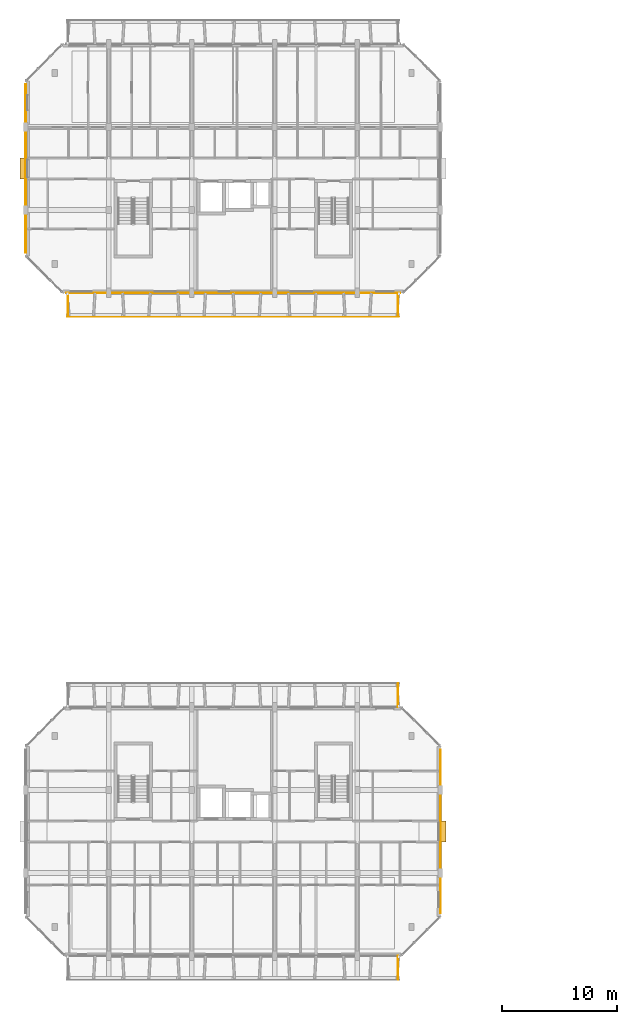
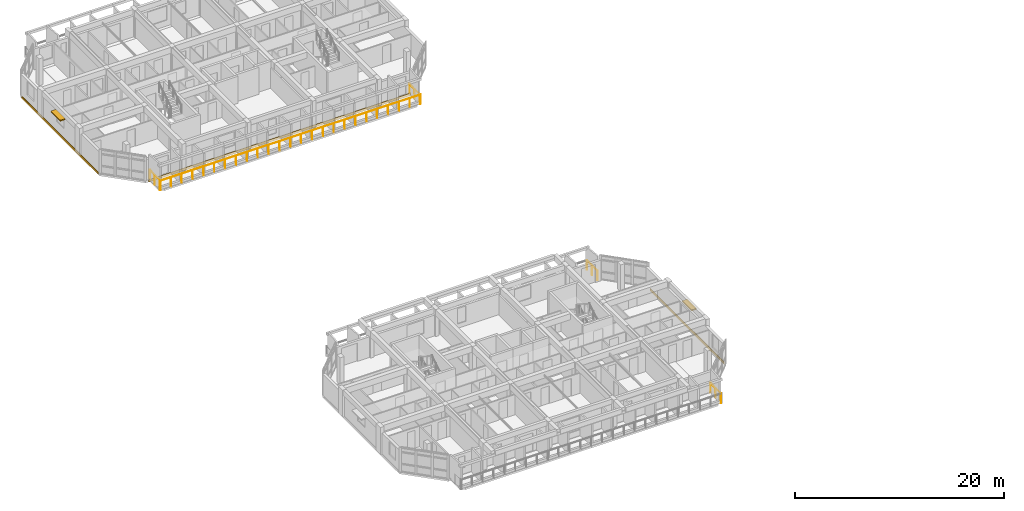
# One storey, part 39 of 46: 5 railings, 3 coverings, 2 shading devices.
"""IFC4 building model written with IfcOpenShell, lengths in metres."""

from ifc_helpers import new_model, si_unit, direction, frame, origin, origin_2d, place, context, subcontext, project, spatial, rectangle, circle, extrude, material, layer, layer_set, type_object, element, save


model = new_model("IFC4")

# Units and contexts
model_context = context("Model", 3, precision=1e-05, world=origin(), true_north=direction((0.0, 1.0)))
body_context = subcontext(model_context, "Body", "Model", "MODEL_VIEW")
ifc_project = project(units=[si_unit("LENGTHUNIT", "METRE"), si_unit("AREAUNIT", "SQUARE_METRE"), si_unit("VOLUMEUNIT", "CUBIC_METRE"), si_unit("PLANEANGLEUNIT", "RADIAN"), si_unit("MASSUNIT", "GRAM", prefix="KILO")], contexts=[model_context])

# Site, building, storey
site_placement = place(None, origin())
site = spatial("IfcSite", under=ifc_project, at=site_placement, CompositionType="ELEMENT")
building_placement = place(site_placement, origin())
building = spatial("IfcBuilding", under=site, at=building_placement, Name="Ochrevale Crest", CompositionType="ELEMENT")
storey_placement = place(building_placement, frame((0.0, 0.0, 24.449951171875)))
storey = spatial("IfcBuildingStorey", under=building, at=storey_placement, Name="L07", CompositionType="ELEMENT", Elevation=24.449951171875)

# Coverings
ifc_material_1 = material(Name="Glazed terracotta rainscreen tile", Category="masonry")
ifc_layer = layer(ifc_material_1, 0.048095703125)
ifc_layer_set = layer_set([ifc_layer], Name="Glazed terracotta rainscreen tile")
covering_type = type_object("IfcCoveringType", Name="COV-CLAD-TER", PredefinedType="CLADDING", material=ifc_layer_set)
covering_1_placement = place(storey_placement, frame((36.014404296875, 25.199951171875, -0.259765625), z_axis=(0.0, 0.0, 1.0), x_axis=(0.0, 1.0, 0.0)))
element("IfcCovering", 1, at=covering_1_placement, inside=storey, type_object=covering_type, Name="Block A L07 terracotta slab-edge spandrel cladding", PredefinedType="CLADDING", context=body_context, shape_type="SweptSolid", body=[
    extrude(rectangle(XDim=14.199951171875, YDim=0.06005859375, at=origin_2d()), origin(), (0.0, 0.0, 1.0), 0.280029296875),
])
covering_2_placement = place(storey_placement, frame((18.0, 71.987548828125, -0.259765625), z_axis=(0.0, 0.0, 1.0), x_axis=(1.0, 0.0, 0.0)))
element("IfcCovering", 2, at=covering_2_placement, inside=storey, type_object=covering_type, Name="Block B L07 terracotta slab-edge spandrel cladding", PredefinedType="CLADDING", context=body_context, shape_type="SweptSolid", body=[
    extrude(rectangle(XDim=29.0, YDim=0.06005859375, at=origin_2d()), origin(), (0.0, 0.0, 1.0), 0.280029296875),
])
covering_3_placement = place(storey_placement, frame((-0.014404296875, 82.800048828125, -0.259765625), z_axis=(0.0, 0.0, 1.0), x_axis=(0.0, -1.0, 0.0)))
element("IfcCovering", 3, at=covering_3_placement, inside=storey, type_object=covering_type, Name="Block B L07 terracotta slab-edge spandrel cladding", PredefinedType="CLADDING", context=body_context, shape_type="SweptSolid", body=[
    extrude(rectangle(XDim=14.60009765625, YDim=0.06005859375, at=origin_2d()), origin(), (0.0, 0.0, 1.0), 0.280029296875),
])

# Railings
ifc_material_2 = material(Name="Galvanised steel", Category="steel")
railing_type = type_object("IfcRailingType", Name="RL-BAL-1100", PredefinedType="BALUSTRADE", material=ifc_material_2)
railing_1_placement = place(storey_placement, frame((32.340087890625, 14.39990234375, 0.0)))
element("IfcRailing", 4, at=railing_1_placement, inside=storey, type_object=railing_type, Name="Block A L07 S-E balcony side guard", PredefinedType="BALUSTRADE", context=body_context, shape_type="SweptSolid", body=[
    extrude(circle(Radius=0.02392578125, at=origin_2d()), frame((0.0, 0.0, 1.0859375), z_axis=(0.0, -1.0, 0.0), x_axis=(1.0, 0.0, 0.0)), (0.0, 0.0, 1.0), 2.039794921875),
    extrude(circle(Radius=0.02099609375, at=origin_2d()), origin(), (0.0, 0.0, 1.0), 1.06201171875),
    extrude(circle(Radius=0.02099609375, at=origin_2d()), frame((0.0, -1.02001953125, 0.0)), (0.0, 0.0, 1.0), 1.06201171875),
    extrude(circle(Radius=0.02099609375, at=origin_2d()), frame((0.0, -2.039794921875, 0.0)), (0.0, 0.0, 1.0), 1.06201171875),
])
railing_2_placement = place(storey_placement, frame((32.340087890625, 36.0, 0.0)))
element("IfcRailing", 5, at=railing_2_placement, inside=storey, type_object=railing_type, Name="Block A L07 N-E balcony side guard", PredefinedType="BALUSTRADE", context=body_context, shape_type="SweptSolid", body=[
    extrude(circle(Radius=0.02392578125, at=origin_2d()), frame((0.0, 0.0, 1.0859375), z_axis=(0.0, 1.0, 0.0), x_axis=(-1.0, 0.0, 0.0)), (0.0, 0.0, 1.0), 2.0400390625),
    extrude(circle(Radius=0.02099609375, at=origin_2d()), origin(), (0.0, 0.0, 1.0), 1.06201171875),
    extrude(circle(Radius=0.02099609375, at=origin_2d()), frame((0.0, 1.02001953125, 0.0)), (0.0, 0.0, 1.0), 1.06201171875),
    extrude(circle(Radius=0.02099609375, at=origin_2d()), frame((0.0, 2.0400390625, 0.0)), (0.0, 0.0, 1.0), 1.06201171875),
])
railing_3_placement = place(storey_placement, frame((3.60009765625, 69.9599609375, 0.0)))
element("IfcRailing", 6, at=railing_3_placement, inside=storey, type_object=railing_type, Name="Block B L07 S balcony front balustrade", PredefinedType="BALUSTRADE", context=body_context, shape_type="SweptSolid", body=[
    extrude(circle(Radius=0.02392578125, at=origin_2d()), frame((0.0, 0.0, 1.0859375), z_axis=(1.0, 0.0, 0.0), x_axis=(0.0, 1.0, 0.0)), (0.0, 0.0, 1.0), 28.7998046875),
    extrude(circle(Radius=0.02099609375, at=origin_2d()), origin(), (0.0, 0.0, 1.0), 1.06201171875),
    extrude(circle(Radius=0.02099609375, at=origin_2d()), frame((1.199951171875, 0.0, 0.0)), (0.0, 0.0, 1.0), 1.06201171875),
    extrude(circle(Radius=0.02099609375, at=origin_2d()), frame((2.39990234375, 0.0, 0.0)), (0.0, 0.0, 1.0), 1.06201171875),
    extrude(circle(Radius=0.02099609375, at=origin_2d()), frame((3.60009765625, 0.0, 0.0)), (0.0, 0.0, 1.0), 1.06201171875),
    extrude(circle(Radius=0.02099609375, at=origin_2d()), frame((4.800048828125, 0.0, 0.0)), (0.0, 0.0, 1.0), 1.06201171875),
    extrude(circle(Radius=0.02099609375, at=origin_2d()), frame((6.0, 0.0, 0.0)), (0.0, 0.0, 1.0), 1.06201171875),
    extrude(circle(Radius=0.02099609375, at=origin_2d()), frame((7.199951171875, 0.0, 0.0)), (0.0, 0.0, 1.0), 1.06201171875),
    extrude(circle(Radius=0.02099609375, at=origin_2d()), frame((8.39990234375, 0.0, 0.0)), (0.0, 0.0, 1.0), 1.06201171875),
    extrude(circle(Radius=0.02099609375, at=origin_2d()), frame((9.599853515625, 0.0, 0.0)), (0.0, 0.0, 1.0), 1.06201171875),
    extrude(circle(Radius=0.02099609375, at=origin_2d()), frame((10.7998046875, 0.0, 0.0)), (0.0, 0.0, 1.0), 1.06201171875),
    extrude(circle(Radius=0.02099609375, at=origin_2d()), frame((12.0, 0.0, 0.0)), (0.0, 0.0, 1.0), 1.06201171875),
    extrude(circle(Radius=0.02099609375, at=origin_2d()), frame((13.199951171875, 0.0, 0.0)), (0.0, 0.0, 1.0), 1.06201171875),
    extrude(circle(Radius=0.02099609375, at=origin_2d()), frame((14.39990234375, 0.0, 0.0)), (0.0, 0.0, 1.0), 1.06201171875),
    extrude(circle(Radius=0.02099609375, at=origin_2d()), frame((15.599853515625, 0.0, 0.0)), (0.0, 0.0, 1.0), 1.06201171875),
    extrude(circle(Radius=0.02099609375, at=origin_2d()), frame((16.7998046875, 0.0, 0.0)), (0.0, 0.0, 1.0), 1.06201171875),
    extrude(circle(Radius=0.02099609375, at=origin_2d()), frame((18.0, 0.0, 0.0)), (0.0, 0.0, 1.0), 1.06201171875),
    extrude(circle(Radius=0.02099609375, at=origin_2d()), frame((19.199951171875, 0.0, 0.0)), (0.0, 0.0, 1.0), 1.06201171875),
    extrude(circle(Radius=0.02099609375, at=origin_2d()), frame((20.39990234375, 0.0, 0.0)), (0.0, 0.0, 1.0), 1.06201171875),
    extrude(circle(Radius=0.02099609375, at=origin_2d()), frame((21.599853515625, 0.0, 0.0)), (0.0, 0.0, 1.0), 1.06201171875),
    extrude(circle(Radius=0.02099609375, at=origin_2d()), frame((22.7998046875, 0.0, 0.0)), (0.0, 0.0, 1.0), 1.06201171875),
    extrude(circle(Radius=0.02099609375, at=origin_2d()), frame((23.999755859375, 0.0, 0.0)), (0.0, 0.0, 1.0), 1.06201171875),
    extrude(circle(Radius=0.02099609375, at=origin_2d()), frame((25.19970703125, 0.0, 0.0)), (0.0, 0.0, 1.0), 1.06201171875),
    extrude(circle(Radius=0.02099609375, at=origin_2d()), frame((26.39990234375, 0.0, 0.0)), (0.0, 0.0, 1.0), 1.06201171875),
    extrude(circle(Radius=0.02099609375, at=origin_2d()), frame((27.599853515625, 0.0, 0.0)), (0.0, 0.0, 1.0), 1.06201171875),
    extrude(circle(Radius=0.02099609375, at=origin_2d()), frame((28.7998046875, 0.0, 0.0)), (0.0, 0.0, 1.0), 1.06201171875),
])
for number, where, name in (
    (7, (3.659912109375, 72.0, 0.0), "Block B L07 S-W balcony side guard"),
    (8, (32.340087890625, 72.0, 0.0), "Block B L07 S-E balcony side guard"),
):
    element("IfcRailing", number, at=place(storey_placement, frame(where)), inside=storey, type_object=railing_type, Name=name, PredefinedType="BALUSTRADE", context=body_context, shape_type="SweptSolid", body=[
        extrude(circle(Radius=0.02392578125, at=origin_2d()), frame((0.0, 0.0, 1.0859375), z_axis=(0.0, -1.0, 0.0), x_axis=(1.0, 0.0, 0.0)), (0.0, 0.0, 1.0), 2.0400390625),
        extrude(circle(Radius=0.02099609375, at=origin_2d()), origin(), (0.0, 0.0, 1.0), 1.06201171875),
        extrude(circle(Radius=0.02099609375, at=origin_2d()), frame((0.0, -1.02001953125, 0.0)), (0.0, 0.0, 1.0), 1.06201171875),
        extrude(circle(Radius=0.02099609375, at=origin_2d()), frame((0.0, -2.0400390625, 0.0)), (0.0, 0.0, 1.0), 1.06201171875),
    ])

# Shading devices
ifc_material_3 = material(Name="Anodised aluminium 6063-T5", Category="aluminium")
shading_device_type = type_object("IfcShadingDeviceType", Name="SHD-SUNSHADE-OC", PredefinedType="USERDEFINED", material=ifc_material_3)
for number, where, z_axis, x_axis, name in (
    (9, (36.239990234375, 25.199951171875, 2.2099609375), (0.0, 0.0, 1.0), (1.0, 0.0, 0.0), "Block A L07 gable window sunshade E"),
    (10, (-0.239990234375, 82.800048828125, 2.2099609375), (0.0, 0.0, 1.0), (1.0, 0.0, 0.0), "Block B L07 gable window sunshade W"),
):
    element("IfcShadingDevice", number, at=place(storey_placement, frame(where, z_axis=z_axis, x_axis=x_axis)), inside=storey, type_object=shading_device_type, Name=name, ObjectType="HORIZONTAL SUNSHADE", PredefinedType="USERDEFINED", context=body_context, shape_type="SweptSolid", body=[
        extrude(rectangle(XDim=0.550048828125, YDim=1.800048828125, at=origin_2d()), origin(), (0.0, 0.0, 1.0), 0.139892578125),
    ])

save(model, "model.ifc")
